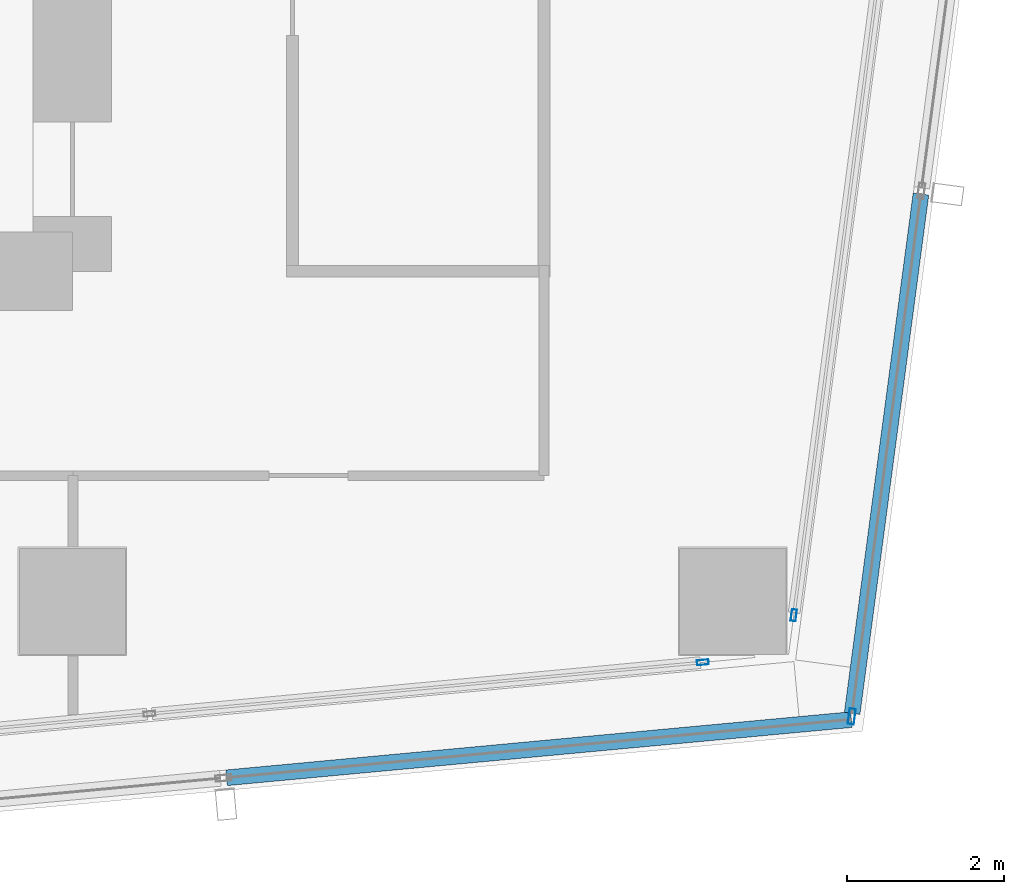
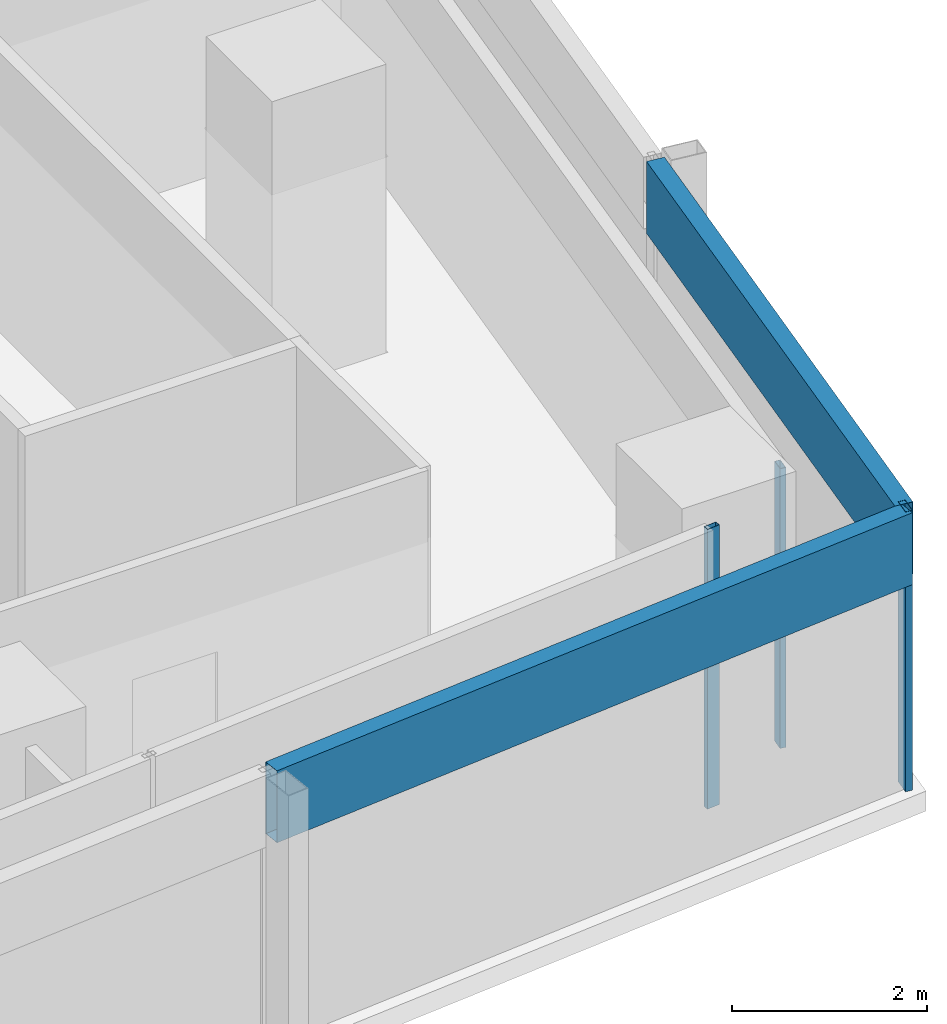
# One storey, part 11 of 39: 5 members, 4 elements without a shape of their own.
"""IFC4 building model written with IfcOpenShell, lengths in metres."""

from ifc_helpers import new_model, si_unit, direction, frame, origin, origin_2d, place, context, subcontext, project, spatial, hollow_rectangle, extrude, material, material_profile, profile_set, type_object, element, aggregate, save


model = new_model("IFC4")

# Units and contexts
model_context = context("Model", 3, precision=1e-05, world=origin(), true_north=direction((0.0, 1.0)))
body_context = subcontext(model_context, "Body", "Model", "MODEL_VIEW")
ifc_project = project(units=[si_unit("LENGTHUNIT", "METRE"), si_unit("AREAUNIT", "SQUARE_METRE"), si_unit("VOLUMEUNIT", "CUBIC_METRE"), si_unit("PLANEANGLEUNIT", "RADIAN"), si_unit("MASSUNIT", "GRAM", prefix="KILO")], contexts=[model_context])

# Site, building, storey
site_placement = place(None, origin())
site = spatial("IfcSite", under=ifc_project, at=site_placement, CompositionType="ELEMENT")
building_placement = place(site_placement, origin())
building = spatial("IfcBuilding", under=site, at=building_placement, Name="Rekha Terrace Tower", CompositionType="ELEMENT")
storey_placement = place(building_placement, frame((0.0, 0.0, 221.449951171875)))
storey = spatial("IfcBuildingStorey", under=building, at=storey_placement, Name="L56", CompositionType="ELEMENT", Elevation=221.449951171875)

# Curtain wall, member
ifc_material_1 = material(Name="Aluminium framing", Category="aluminium")
curtain_wall_type_1 = type_object("IfcCurtainWallType", Name="CW1 double skin inner glazing", PredefinedType="USERDEFINED", material=ifc_material_1)
curtain_wall_1_placement = place(storey_placement, origin())
curtain_wall_1 = element("IfcCurtainWall", 1, at=curtain_wall_1_placement, inside=storey, type_object=curtain_wall_type_1, Name="CW1 double skin inner glazing", ObjectType="DOUBLE SKIN INNER GLAZING", PredefinedType="USERDEFINED")
ifc_material_2 = material(Name="Aluminium mullion section", Category="aluminium")
ifc_material_profile_1 = material_profile(ifc_material_2, hollow_rectangle(XDim=0.06494140625, YDim=0.14990234375, WallThickness=0.00390625, at=origin_2d()), Name="AL RHS 65x150")
ifc_profile_set_1 = profile_set([ifc_material_profile_1], Name="Aluminium mullion section")
member_type_1 = type_object("IfcMemberType", Name="CW1 mullion RHS 65 x 150", PredefinedType="MULLION", material=ifc_profile_set_1)
member_1_placement = place(storey_placement, frame((58.419677734375, 16.025634765625, 0.0), z_axis=(0.0, 0.0, 1.0), x_axis=(-0.092708869564, 0.995693258742, 0.0)))
member_1 = element("IfcMember", 2, at=member_1_placement, type_object=member_type_1, Name="CW1 mullion 3", PredefinedType="MULLION", context=body_context, shape_type="SweptSolid", body=[
    extrude(hollow_rectangle(XDim=0.06494140625, YDim=0.14990234375, WallThickness=0.00390625, at=origin_2d()), origin(), (0.0, 0.0, 1.0), 3.5),
])
aggregate(curtain_wall_1, [member_1])

curtain_wall_2_placement = place(storey_placement, origin())
curtain_wall_2 = element("IfcCurtainWall", 3, at=curtain_wall_2_placement, inside=storey, type_object=curtain_wall_type_1, Name="CW1 double skin inner glazing", ObjectType="DOUBLE SKIN INNER GLAZING", PredefinedType="USERDEFINED")
member_2_placement = place(storey_placement, frame((59.576171875, 16.624755859375, 0.0), z_axis=(0.0, 0.0, 1.0), x_axis=(-0.991342203185, 0.131303603093, 0.0)))
member_2 = element("IfcMember", 4, at=member_2_placement, type_object=member_type_1, Name="CW1 mullion 1", PredefinedType="MULLION", context=body_context, shape_type="SweptSolid", body=[
    extrude(hollow_rectangle(XDim=0.06494140625, YDim=0.14990234375, WallThickness=0.00390625, at=origin_2d()), origin(), (0.0, 0.0, 1.0), 3.5),
])
aggregate(curtain_wall_2, [member_2])

curtain_wall_type_2 = type_object("IfcCurtainWallType", Name="CW2 double skin outer glazing", PredefinedType="USERDEFINED", material=ifc_material_1)
curtain_wall_3_placement = place(storey_placement, origin())
curtain_wall_3 = element("IfcCurtainWall", 5, at=curtain_wall_3_placement, inside=storey, type_object=curtain_wall_type_2, Name="CW2 double skin outer glazing", ObjectType="DOUBLE SKIN OUTER GLAZING", PredefinedType="USERDEFINED")
ifc_material_profile_2 = material_profile(ifc_material_2, hollow_rectangle(XDim=0.080078125, YDim=0.199951171875, WallThickness=0.00390625, at=origin_2d()), Name="AL RHS 80x200")
ifc_profile_set_2 = profile_set([ifc_material_profile_2], Name="Aluminium mullion section")
member_type_2 = type_object("IfcMemberType", Name="CW2 mullion RHS 80 x 200", PredefinedType="MULLION", material=ifc_profile_set_2)
member_3_placement = place(storey_placement, frame((60.3134765625, 15.337158203125, 0.0), z_axis=(0.0, 0.0, 1.0), x_axis=(-0.991342203187, 0.131303603075, 0.0)))
member_3 = element("IfcMember", 6, at=member_3_placement, type_object=member_type_2, Name="CW2 mullion 1", PredefinedType="MULLION", context=body_context, shape_type="SweptSolid", body=[
    extrude(hollow_rectangle(XDim=0.080078125, YDim=0.199951171875, WallThickness=0.00390625, at=origin_2d()), origin(), (0.0, 0.0, 1.0), 3.5),
])

curtain_wall_4_placement = place(storey_placement, origin())
curtain_wall_4 = element("IfcCurtainWall", 7, at=curtain_wall_4_placement, inside=storey, type_object=curtain_wall_type_2, Name="CW2 double skin outer glazing", ObjectType="DOUBLE SKIN OUTER GLAZING", PredefinedType="USERDEFINED")
ifc_material_3 = material(Name="Insulated aluminium spandrel box", Category="aluminium")
ifc_material_profile_3 = material_profile(ifc_material_3, hollow_rectangle(XDim=0.199951171875, YDim=0.89990234375, WallThickness=0.0029296875, at=origin_2d()), Name="AL SPANDREL BOX 200x900")
ifc_profile_set_3 = profile_set([ifc_material_profile_3], Name="Insulated aluminium spandrel box")
member_type_3 = type_object("IfcMemberType", Name="CW2 spandrel transom 200 x 900", PredefinedType="USERDEFINED", material=ifc_profile_set_3)
member_4_placement = place(storey_placement, frame((52.36181640625, 14.5576171875, 3.050048828125), z_axis=(0.99569478362, 0.092692490917, 0.0), x_axis=(-0.092692490917, 0.99569478362, 0.0)))
member_4 = element("IfcMember", 8, at=member_4_placement, type_object=member_type_3, Name="CW2 spandrel transom 2", ObjectType="TRANSOM", PredefinedType="USERDEFINED", context=body_context, shape_type="SweptSolid", body=[
    extrude(hollow_rectangle(XDim=0.199951171875, YDim=0.89990234375, WallThickness=0.0029296875, at=origin_2d()), origin(), (0.0, 0.0, 1.0), 7.980712890625),
])
aggregate(curtain_wall_4, [member_4])

# Member
member_5_placement = place(storey_placement, frame((60.318603515625, 15.376708984375, 3.050048828125), z_axis=(0.131318864981, 0.991340181623, 0.0), x_axis=(-0.991340181623, 0.131318864981, 0.0)))
member_5 = element("IfcMember", 9, at=member_5_placement, type_object=member_type_3, Name="CW2 spandrel transom 1", ObjectType="TRANSOM", PredefinedType="USERDEFINED", context=body_context, shape_type="SweptSolid", body=[
    extrude(hollow_rectangle(XDim=0.199951171875, YDim=0.89990234375, WallThickness=0.0029296875, at=origin_2d()), origin(), (0.0, 0.0, 1.0), 6.6630859375),
])

aggregate(curtain_wall_3, [member_3, member_5])

save(model, "model.ifc")
